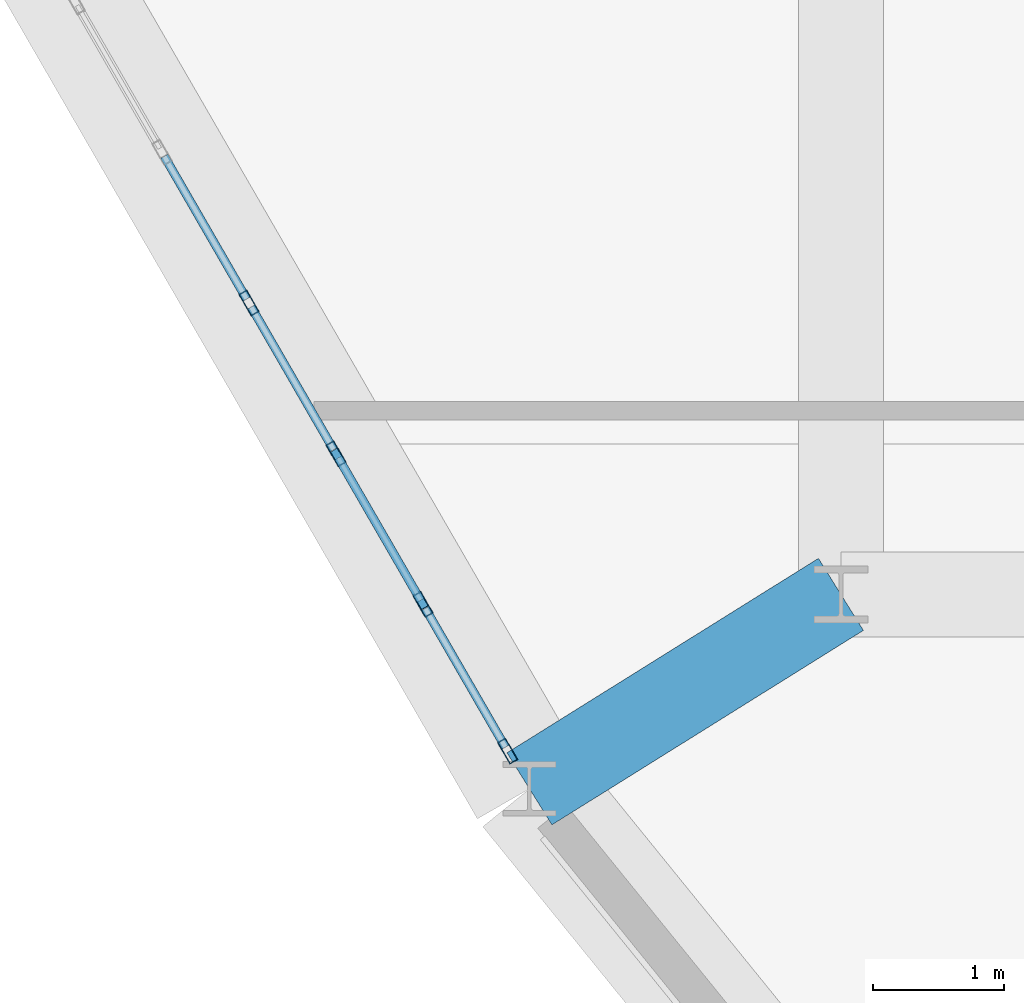
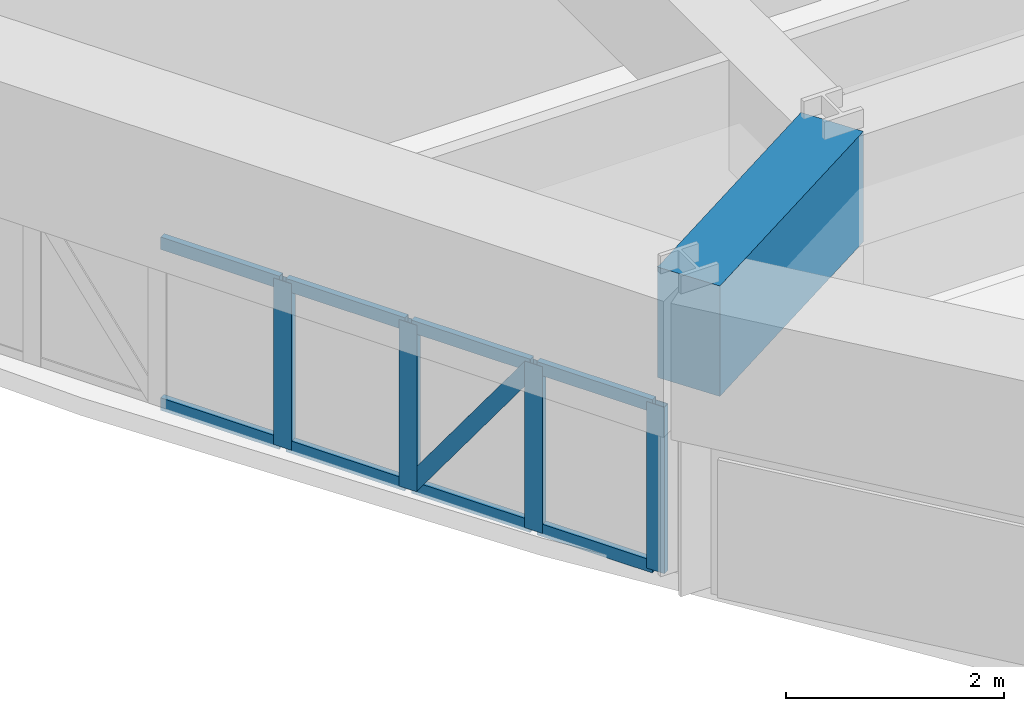
# One storey, part 2 of 13: 13 members, 1 beam, 1 element without a shape of its own.
"""IFC4 building model written with IfcOpenShell, lengths in metres."""

from ifc_helpers import new_model, si_unit, derived_unit, direction, frame, origin, origin_2d, place, context, subcontext, project, spatial, rectangle, hollow_rectangle, extrude, source, transform, mapped, material, layer, layer_set, material_profile, profile_set, type_object, element, aggregate, save


model = new_model("IFC4")

# Units and contexts
model_context = context("Model", 3, precision=1e-05, world=origin(), true_north=direction((0.0, 1.0)))
body_context = subcontext(model_context, "Body", "Model", "MODEL_VIEW")
ifc_project = project(units=[si_unit("LENGTHUNIT", "METRE"), si_unit("AREAUNIT", "SQUARE_METRE"), si_unit("VOLUMEUNIT", "CUBIC_METRE"), si_unit("PLANEANGLEUNIT", "RADIAN"), si_unit("MASSUNIT", "GRAM", prefix="KILO"), derived_unit("THERMALTRANSMITTANCEUNIT", [(si_unit("POWERUNIT", "WATT"), 1), (si_unit("LENGTHUNIT", "METRE"), -2), (si_unit("THERMODYNAMICTEMPERATUREUNIT", "KELVIN"), -1)])], contexts=[model_context])

# Site, building, storey
site_placement = place(None, origin())
site = spatial("IfcSite", under=ifc_project, at=site_placement, CompositionType="ELEMENT")
building_placement = place(site_placement, origin())
building = spatial("IfcBuilding", under=site, at=building_placement, Name="Korsvarv Bourse and Concert Hall", CompositionType="ELEMENT")
storey_placement = place(building_placement, frame((0.0, 0.0, 183.0)))
storey = spatial("IfcBuildingStorey", under=building, at=storey_placement, Name="L47", CompositionType="ELEMENT", Elevation=183.0)

# Beam
ifc_material_1 = material(Name="Concrete C50/60", Category="concrete")
ifc_material_profile_1 = material_profile(ifc_material_1, rectangle(XDim=0.64990234375, YDim=1.239990234375, at=origin_2d()), Name="RC-BM 650x1240")
ifc_profile_set_1 = profile_set([ifc_material_profile_1], Name="Concrete C50/60")
beam_type = type_object("IfcBeamType", Name="BM-TR-SPN", PredefinedType="BEAM", material=ifc_profile_set_1)
shared_shape_1 = source(origin(), body_context, "Body", "SweptSolid", [
    extrude(rectangle(XDim=0.64990234375, YDim=1.239990234375, at=origin_2d()), origin(), (0.0, 0.0, 1.0), 2.8095703125),
])
beam_placement = place(storey_placement, frame((25.216796875, 22.51220703125, 2.780029296875), z_axis=(0.848281328121, 0.529545832163, 0.0), x_axis=(-0.529545832163, 0.848281328121, 0.0)))
element("IfcBeam", 1, at=beam_placement, inside=storey, type_object=beam_type, Name="L47 beam B-TRS", PredefinedType="BEAM", context=body_context, shape_type="MappedRepresentation", body=[
    mapped(shared_shape_1, transform((0.0, 0.0, 0.0), scale=1.0)),
])

# Curtain wall, members
ifc_material_2 = material(Name="Anodised aluminium and triple low-E glazing", Category="glass")
ifc_layer = layer(ifc_material_2, 0.199951171875)
ifc_layer_set = layer_set([ifc_layer], Name="Anodised aluminium and triple low-E glazing")
curtain_wall_type = type_object("IfcCurtainWallType", Name="CW-SYS-3", PredefinedType="NOTDEFINED", material=ifc_layer_set)
curtain_wall_placement = place(storey_placement, origin())
curtain_wall = element("IfcCurtainWall", 2, at=curtain_wall_placement, inside=storey, type_object=curtain_wall_type, Name="L47 CW3 curtain wall CW-L47-F07", PredefinedType="NOTDEFINED")
ifc_material_3 = material(Name="Extruded aluminium EN AW-6063 T66", Category="aluminium")
ifc_material_profile_2 = material_profile(ifc_material_3, hollow_rectangle(XDim=0.070068359375, YDim=0.18994140625, WallThickness=0.0048828125, at=origin_2d()), Name="ALU-M 70x190")
ifc_profile_set_2 = profile_set([ifc_material_profile_2], Name="Extruded aluminium EN AW-6063 T66")
member_type_1 = type_object("IfcMemberType", Name="CWM-190", PredefinedType="MULLION", material=ifc_profile_set_2)
shared_shape_2 = source(origin(), body_context, "Body", "SweptSolid", [
    extrude(hollow_rectangle(XDim=0.070068359375, YDim=0.18994140625, WallThickness=0.0048828125, at=origin_2d()), origin(), (0.0, 0.0, 1.0), 1.8701171875),
])
member_1_placement = place(storey_placement, frame((23.07080078125, 26.229248046875, 0.0), z_axis=(0.0, 0.0, 1.0), x_axis=(0.866028825281, 0.499994073747, 0.0)))
member_1 = element("IfcMember", 3, at=member_1_placement, type_object=member_type_1, Name="CW3 mullion 7", PredefinedType="MULLION", context=body_context, shape_type="MappedRepresentation", body=[
    mapped(shared_shape_2, transform((0.0, 0.0, 0.0), scale=1.0)),
])
member_2_placement = place(storey_placement, frame((23.736572265625, 25.076171875, 0.0), z_axis=(0.0, 0.0, 1.0), x_axis=(0.866028825281, 0.499994073747, 0.0)))
member_2 = element("IfcMember", 4, at=member_2_placement, type_object=member_type_1, Name="CW3 mullion 8", PredefinedType="MULLION", context=body_context, shape_type="MappedRepresentation", body=[
    mapped(shared_shape_2, transform((0.0, 0.0, 0.0), scale=1.0)),
])
member_3_placement = place(storey_placement, frame((24.402099609375, 23.923095703125, 0.0), z_axis=(0.0, 0.0, 1.0), x_axis=(0.866028825281, 0.499994073747, 0.0)))
member_3 = element("IfcMember", 5, at=member_3_placement, type_object=member_type_1, Name="CW3 mullion 9", PredefinedType="MULLION", context=body_context, shape_type="MappedRepresentation", body=[
    mapped(shared_shape_2, transform((0.0, 0.0, 0.0), scale=1.0)),
])
member_4_placement = place(storey_placement, frame((25.05029296875, 22.80029296875, 0.0), z_axis=(0.0, 0.0, 1.0), x_axis=(0.866028825281, 0.499994073747, 0.0)))
member_4 = element("IfcMember", 6, at=member_4_placement, type_object=member_type_1, Name="CW3 mullion 10", PredefinedType="MULLION", context=body_context, shape_type="MappedRepresentation", body=[
    mapped(shared_shape_2, transform((0.0, 0.0, 0.0), scale=1.0)),
])
ifc_material_profile_3 = material_profile(ifc_material_3, hollow_rectangle(XDim=0.06494140625, YDim=0.139892578125, WallThickness=0.00390625, at=origin_2d()), Name="ALU-T 65x140")
ifc_profile_set_3 = profile_set([ifc_material_profile_3], Name="Extruded aluminium EN AW-6063 T66")
member_type_2 = type_object("IfcMemberType", Name="CWT-140", PredefinedType="USERDEFINED", material=ifc_profile_set_3)
shared_shape_3 = source(origin(), body_context, "Body", "SweptSolid", [
    extrude(hollow_rectangle(XDim=0.06494140625, YDim=0.139892578125, WallThickness=0.00390625, at=origin_2d()), origin(), (0.0, 0.0, 1.0), 1.261474609375),
])
member_5_placement = place(storey_placement, frame((22.422607421875, 27.35205078125, 0.032470703125), z_axis=(0.499906742921, -0.86607923909, 0.0), x_axis=(0.86607923909, 0.499906742921, 0.0)))
member_5 = element("IfcMember", 7, at=member_5_placement, type_object=member_type_2, Name="CW3 transom 6.1", ObjectType="TRANSOM", PredefinedType="USERDEFINED", context=body_context, shape_type="MappedRepresentation", body=[
    mapped(shared_shape_3, transform((0.0, 0.0, 0.0), scale=1.0)),
])
member_6_placement = place(storey_placement, frame((22.422607421875, 27.35205078125, 1.83740234375), z_axis=(0.499906742921, -0.86607923909, 0.0), x_axis=(0.86607923909, 0.499906742921, 0.0)))
member_6 = element("IfcMember", 8, at=member_6_placement, type_object=member_type_2, Name="CW3 transom 6.2", ObjectType="TRANSOM", PredefinedType="USERDEFINED", context=body_context, shape_type="MappedRepresentation", body=[
    mapped(shared_shape_3, transform((0.0, 0.0, 0.0), scale=1.0)),
])
member_7_placement = place(storey_placement, frame((23.08837890625, 26.198974609375, 0.032470703125), z_axis=(0.499906742921, -0.86607923909, 0.0), x_axis=(0.86607923909, 0.499906742921, 0.0)))
member_7 = element("IfcMember", 9, at=member_7_placement, type_object=member_type_2, Name="CW3 transom 7.1", ObjectType="TRANSOM", PredefinedType="USERDEFINED", context=body_context, shape_type="MappedRepresentation", body=[
    mapped(shared_shape_3, transform((0.0, 0.0, 0.0), scale=1.0)),
])
member_8_placement = place(storey_placement, frame((23.08837890625, 26.198974609375, 1.83740234375), z_axis=(0.499906742921, -0.86607923909, 0.0), x_axis=(0.86607923909, 0.499906742921, 0.0)))
member_8 = element("IfcMember", 10, at=member_8_placement, type_object=member_type_2, Name="CW3 transom 7.2", ObjectType="TRANSOM", PredefinedType="USERDEFINED", context=body_context, shape_type="MappedRepresentation", body=[
    mapped(shared_shape_3, transform((0.0, 0.0, 0.0), scale=1.0)),
])
member_9_placement = place(storey_placement, frame((23.75390625, 25.0458984375, 0.032470703125), z_axis=(0.500051892845, -0.865995441363, 0.0), x_axis=(0.865995441363, 0.500051892845, 0.0)))
member_9 = element("IfcMember", 11, at=member_9_placement, type_object=member_type_2, Name="CW3 transom 8.1", ObjectType="TRANSOM", PredefinedType="USERDEFINED", context=body_context, shape_type="MappedRepresentation", body=[
    mapped(shared_shape_3, transform((0.0, 0.0, 0.0), scale=1.0)),
])
member_10_placement = place(storey_placement, frame((23.75390625, 25.0458984375, 1.83740234375), z_axis=(0.500051892845, -0.865995441363, 0.0), x_axis=(0.865995441363, 0.500051892845, 0.0)))
member_10 = element("IfcMember", 12, at=member_10_placement, type_object=member_type_2, Name="CW3 transom 8.2", ObjectType="TRANSOM", PredefinedType="USERDEFINED", context=body_context, shape_type="MappedRepresentation", body=[
    mapped(shared_shape_3, transform((0.0, 0.0, 0.0), scale=1.0)),
])
ifc_material_profile_4 = material_profile(ifc_material_3, hollow_rectangle(XDim=0.06494140625, YDim=0.1650390625, WallThickness=0.0048828125, at=origin_2d()), Name="ALU-M 65x165")
ifc_profile_set_4 = profile_set([ifc_material_profile_4], Name="Extruded aluminium EN AW-6063 T66")
member_type_3 = type_object("IfcMemberType", Name="CWM-165", PredefinedType="MULLION", material=ifc_profile_set_4)
shared_shape_4 = source(origin(), body_context, "Body", "SweptSolid", [
    extrude(hollow_rectangle(XDim=0.06494140625, YDim=0.1650390625, WallThickness=0.0048828125, at=origin_2d()), origin(), (0.0, 0.0, 1.0), 2.149169921875),
])
member_11_placement = place(storey_placement, frame((23.75390625, 25.0458984375, 0.06494140625), z_axis=(0.293528717011, -0.508336303648, 0.809589460581), x_axis=(0.865995441363, 0.500051892845, 0.0)))
member_11 = element("IfcMember", 13, at=member_11_placement, type_object=member_type_3, Name="CW3 diagonal mullion 8", PredefinedType="MULLION", context=body_context, shape_type="MappedRepresentation", body=[
    mapped(shared_shape_4, transform((0.0, 0.0, 0.0), scale=1.0)),
])
shared_shape_5 = source(origin(), body_context, "Body", "SweptSolid", [
    extrude(hollow_rectangle(XDim=0.06494140625, YDim=0.139892578125, WallThickness=0.00390625, at=origin_2d()), origin(), (0.0, 0.0, 1.0), 1.226318359375),
])
member_12_placement = place(storey_placement, frame((24.419677734375, 23.892822265625, 0.032470703125), z_axis=(0.500078582497, -0.865980029404, 0.0), x_axis=(0.865980029404, 0.500078582497, 0.0)))
member_12 = element("IfcMember", 14, at=member_12_placement, type_object=member_type_2, Name="CW3 transom 9.1", ObjectType="TRANSOM", PredefinedType="USERDEFINED", context=body_context, shape_type="MappedRepresentation", body=[
    mapped(shared_shape_5, transform((0.0, 0.0, 0.0), scale=1.0)),
])
member_13_placement = place(storey_placement, frame((24.419677734375, 23.892822265625, 1.83740234375), z_axis=(0.500078582497, -0.865980029404, 0.0), x_axis=(0.865980029404, 0.500078582497, 0.0)))
member_13 = element("IfcMember", 15, at=member_13_placement, type_object=member_type_2, Name="CW3 transom 9.2", ObjectType="TRANSOM", PredefinedType="USERDEFINED", context=body_context, shape_type="MappedRepresentation", body=[
    mapped(shared_shape_5, transform((0.0, 0.0, 0.0), scale=1.0)),
])
aggregate(curtain_wall, [member_1, member_2, member_3, member_4, member_5, member_6, member_7, member_8, member_9, member_10, member_11, member_12, member_13])

save(model, "model.ifc")
